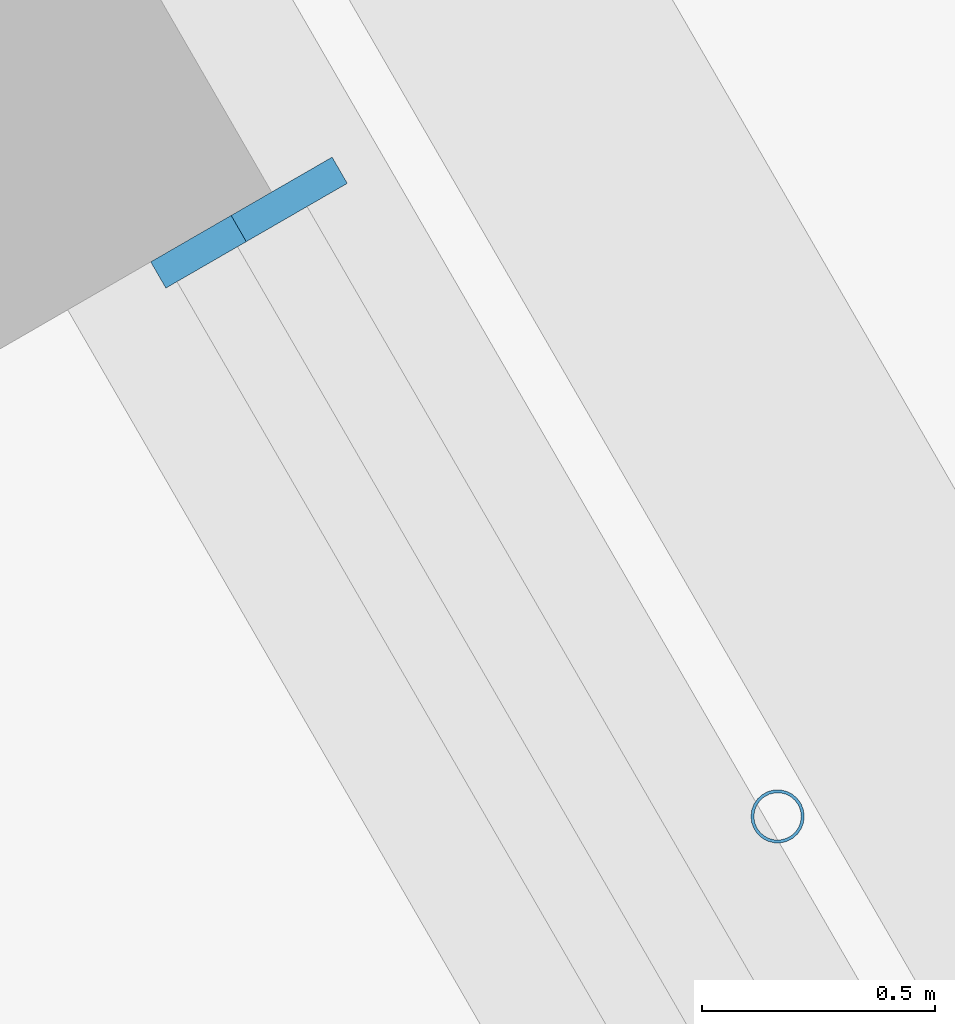
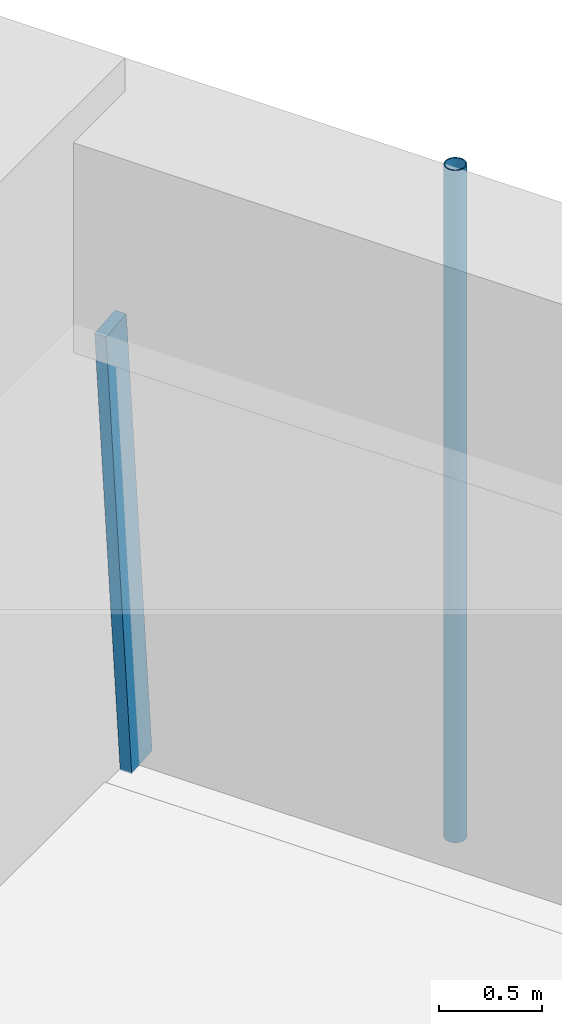
# One storey, part 15 of 24: 2 members, 1 element without a shape of its own.
"""IFC4 building model written with IfcOpenShell, lengths in metres."""

from ifc_helpers import new_model, si_unit, direction, frame, origin, origin_2d, place, context, subcontext, project, spatial, rectangle, hollow_circle, extrude, material, material_profile, profile_set, type_object, element, aggregate, save


model = new_model("IFC4")

# Units and contexts
model_context = context("Model", 3, precision=1e-05, world=origin(), true_north=direction((0.0, 1.0)))
body_context = subcontext(model_context, "Body", "Model", "MODEL_VIEW")
ifc_project = project(units=[si_unit("LENGTHUNIT", "METRE"), si_unit("AREAUNIT", "SQUARE_METRE"), si_unit("VOLUMEUNIT", "CUBIC_METRE"), si_unit("PLANEANGLEUNIT", "RADIAN"), si_unit("MASSUNIT", "GRAM", prefix="KILO")], contexts=[model_context])

# Site, building, storey
site_placement = place(None, origin())
site = spatial("IfcSite", under=ifc_project, at=site_placement, CompositionType="ELEMENT")
building_placement = place(site_placement, origin())
building = spatial("IfcBuilding", under=site, at=building_placement, Name="Tarfa Lantern Tower", CompositionType="ELEMENT")
storey_placement = place(building_placement, frame((0.0, 0.0, 178.300048828125)))
storey = spatial("IfcBuildingStorey", under=building, at=storey_placement, Name="L40", CompositionType="ELEMENT", Elevation=178.300048828125)

# Curtain wall, member
ifc_material_1 = material(Name="Aluminium framed curtain wall", Category="aluminium")
curtain_wall_type = type_object("IfcCurtainWallType", Name="CW2 CANTED GLAZING MID ZONE 2750", PredefinedType="USERDEFINED", material=ifc_material_1)
curtain_wall_placement = place(storey_placement, origin())
curtain_wall = element("IfcCurtainWall", 1, at=curtain_wall_placement, inside=storey, type_object=curtain_wall_type, Name="CW2 NE L40", ObjectType="CURTAIN WALL", PredefinedType="USERDEFINED")
ifc_material_2 = material(Name="Aluminium mullion", Category="aluminium")
ifc_material_profile_1 = material_profile(ifc_material_2, rectangle(XDim=0.06494140625, YDim=0.199951171875, at=origin_2d()), Name="AL MULLION 65x200")
ifc_profile_set_1 = profile_set([ifc_material_profile_1], Name="Aluminium mullion")
member_type_1 = type_object("IfcMemberType", Name="CWM1 MULLION 65x200", PredefinedType="MULLION", material=ifc_profile_set_1)
member_1_placement = place(storey_placement, frame((30.111328125, 10.645751953125, 0.0), z_axis=(-0.078422950161, -0.045267813396, 0.995891894715), x_axis=(0.499919672301, -0.866071776036, 0.0)))
member_1 = element("IfcMember", 2, at=member_1_placement, type_object=member_type_1, Name="CW2 mullion 2", PredefinedType="MULLION", context=body_context, shape_type="SweptSolid", body=[
    extrude(rectangle(XDim=0.06494140625, YDim=0.199951171875, at=origin_2d()), origin(), (0.0, 0.0, 1.0), 2.76123046875),
])
aggregate(curtain_wall, [member_1])

# Member
ifc_material_3 = material(Name="Steel S355", Category="steel")
ifc_material_profile_2 = material_profile(ifc_material_3, hollow_circle(Radius=0.05712890625, WallThickness=0.00634765625, at=origin_2d()), Name="CHS114.3x6.3")
ifc_profile_set_2 = profile_set([ifc_material_profile_2], Name="Steel S355")
member_type_2 = type_object("IfcMemberType", Name="TR1 GREEN WALL TRELLIS CHS114.3x6.3", PredefinedType="USERDEFINED", material=ifc_profile_set_2)
member_2_placement = place(storey_placement, frame((31.136474609375, 9.31005859375, 0.0), z_axis=(0.0, 0.0, 1.0), x_axis=(1.0, 0.0, 0.0)))
element("IfcMember", 3, at=member_2_placement, inside=storey, type_object=member_type_2, Name="Trellis post NE 1", ObjectType="TRELLIS", PredefinedType="USERDEFINED", context=body_context, shape_type="SweptSolid", body=[
    extrude(hollow_circle(Radius=0.05712890625, WallThickness=0.00634765625, at=origin_2d()), origin(), (0.0, 0.0, 1.0), 4.0),
])

save(model, "model.ifc")
